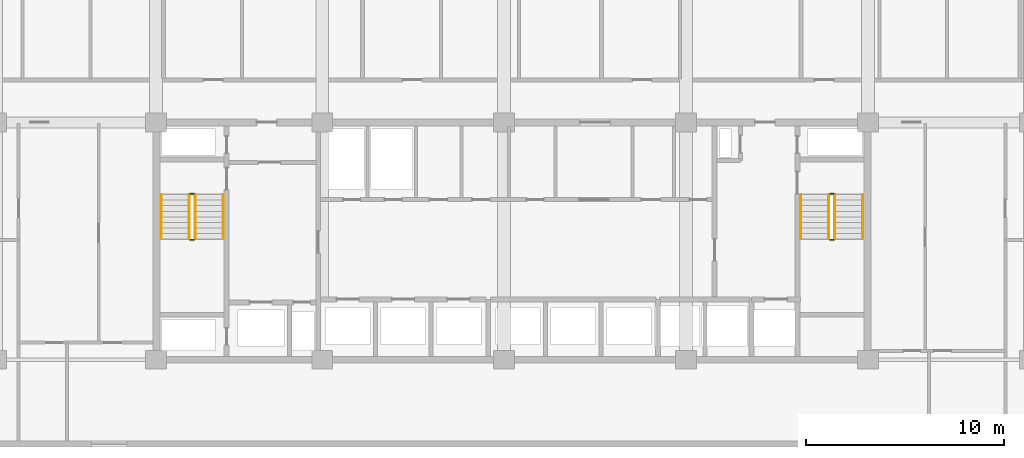
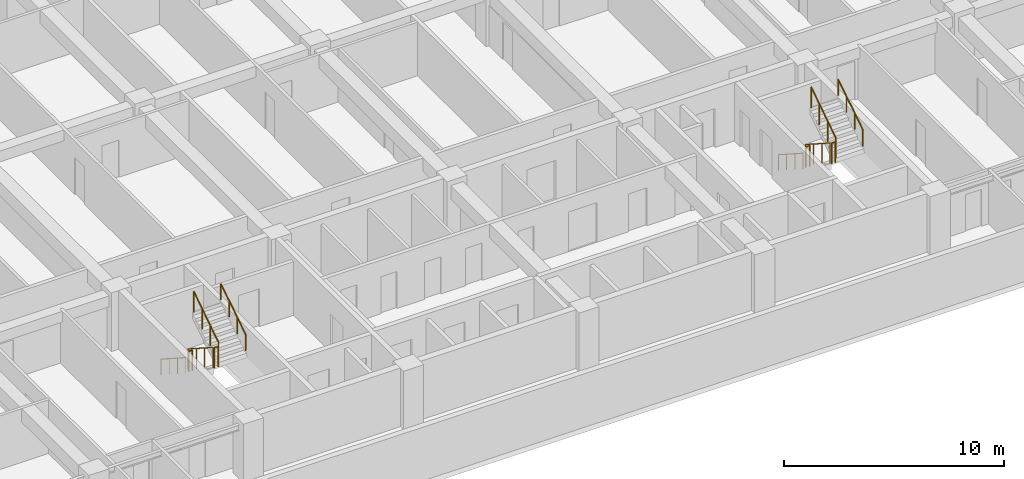
# One storey, part 22 of 23: 12 railings.
"""IFC4 building model written with IfcOpenShell, lengths in metres."""

from ifc_helpers import new_model, si_unit, direction, frame, origin, origin_2d, place, context, subcontext, project, spatial, circle, extrude, material, type_object, element, save


model = new_model("IFC4")

# Units and contexts
model_context = context("Model", 3, precision=1e-05, world=origin(), true_north=direction((0.0, 1.0)))
body_context = subcontext(model_context, "Body", "Model", "MODEL_VIEW")
ifc_project = project(units=[si_unit("LENGTHUNIT", "METRE"), si_unit("AREAUNIT", "SQUARE_METRE"), si_unit("VOLUMEUNIT", "CUBIC_METRE"), si_unit("PLANEANGLEUNIT", "RADIAN"), si_unit("MASSUNIT", "GRAM", prefix="KILO")], contexts=[model_context])

# Site, building, storey
site_placement = place(None, origin())
site = spatial("IfcSite", under=ifc_project, at=site_placement, CompositionType="ELEMENT")
building_placement = place(site_placement, origin())
building = spatial("IfcBuilding", under=site, at=building_placement, Name="Korimba Cascade Residences", CompositionType="ELEMENT")
storey_placement = place(building_placement, frame((0.0, 0.0, 30.5)))
storey = spatial("IfcBuildingStorey", under=building, at=storey_placement, Name="L07", CompositionType="ELEMENT", Elevation=30.5)

# Railings
ifc_material_1 = material(Name="Painted Steel Stairwell Guardrail", Category="steel")
railing_type_1 = type_object("IfcRailingType", Name="RLG-ST-GD1150", PredefinedType="GUARDRAIL", material=ifc_material_1)
railing_1_placement = place(storey_placement, frame((77.77001953125, 63.550048828125, 0.1806640625)))
element("IfcRailing", 1, at=railing_1_placement, inside=storey, type_object=railing_type_1, Name="L07 ST-W1 stair guard 1", PredefinedType="GUARDRAIL", context=body_context, shape_type="SweptSolid", body=[
    extrude(circle(Radius=0.02392578125, at=origin_2d()), frame((0.0, 0.0, 1.1259765625), z_axis=(0.0, -0.840436612492, 0.541909863706), x_axis=(1.0, 0.0, 0.0)), (0.0, 0.0, 1.0), 2.665283203125),
    extrude(circle(Radius=0.02099609375, at=origin_2d()), origin(), (0.0, 0.0, 1.0), 1.101806640625),
    extrude(circle(Radius=0.02099609375, at=origin_2d()), frame((0.0, -0.74658203125, 0.4814453125)), (0.0, 0.0, 1.0), 1.101806640625),
    extrude(circle(Radius=0.02099609375, at=origin_2d()), frame((0.0, -1.493408203125, 0.962890625)), (0.0, 0.0, 1.0), 1.101806640625),
    extrude(circle(Radius=0.02099609375, at=origin_2d()), frame((0.0, -2.239990234375, 1.4443359375)), (0.0, 0.0, 1.0), 1.101806640625),
])
railing_2_placement = place(storey_placement, frame((77.820068359375, 61.260009765625, 1.625)))
element("IfcRailing", 2, at=railing_2_placement, inside=storey, type_object=railing_type_1, Name="L07 ST-W1 stair guard 2", PredefinedType="GUARDRAIL", context=body_context, shape_type="SweptSolid", body=[
    extrude(circle(Radius=0.02392578125, at=origin_2d()), frame((0.0, 0.0, 1.1259765625), z_axis=(1.0, 0.0, 0.0), x_axis=(0.0, 1.0, 0.0)), (0.0, 0.0, 1.0), 0.199951171875),
    extrude(circle(Radius=0.02099609375, at=origin_2d()), origin(), (0.0, 0.0, 1.0), 1.101806640625),
    extrude(circle(Radius=0.02099609375, at=origin_2d()), frame((0.199951171875, 0.0, 0.0)), (0.0, 0.0, 1.0), 1.101806640625),
])
railing_3_placement = place(storey_placement, frame((78.070068359375, 61.31005859375, 1.8056640625)))
element("IfcRailing", 3, at=railing_3_placement, inside=storey, type_object=railing_type_1, Name="L07 ST-W1 stair guard 3", PredefinedType="GUARDRAIL", context=body_context, shape_type="SweptSolid", body=[
    extrude(circle(Radius=0.02392578125, at=origin_2d()), frame((0.0, 0.0, 1.1259765625), z_axis=(0.0, 0.840436612492, 0.541909863706), x_axis=(-1.0, 0.0, 0.0)), (0.0, 0.0, 1.0), 2.665283203125),
    extrude(circle(Radius=0.02099609375, at=origin_2d()), origin(), (0.0, 0.0, 1.0), 1.101806640625),
    extrude(circle(Radius=0.02099609375, at=origin_2d()), frame((0.0, 0.74658203125, 0.4814453125)), (0.0, 0.0, 1.0), 1.101806640625),
    extrude(circle(Radius=0.02099609375, at=origin_2d()), frame((0.0, 1.493408203125, 0.962890625)), (0.0, 0.0, 1.0), 1.101806640625),
    extrude(circle(Radius=0.02099609375, at=origin_2d()), frame((0.0, 2.239990234375, 1.4443359375)), (0.0, 0.0, 1.0), 1.101806640625),
])
railing_4_placement = place(storey_placement, frame((77.820068359375, 63.60009765625, 0.0)))
element("IfcRailing", 4, at=railing_4_placement, inside=storey, type_object=railing_type_1, Name="L07 ST-W1 stair guard 4", PredefinedType="GUARDRAIL", context=body_context, shape_type="SweptSolid", body=[
    extrude(circle(Radius=0.02392578125, at=origin_2d()), frame((0.0, 0.0, 1.1259765625), z_axis=(1.0, 0.0, 0.0), x_axis=(0.0, 1.0, 0.0)), (0.0, 0.0, 1.0), 0.199951171875),
    extrude(circle(Radius=0.02099609375, at=origin_2d()), origin(), (0.0, 0.0, 1.0), 1.101806640625),
    extrude(circle(Radius=0.02099609375, at=origin_2d()), frame((0.199951171875, 0.0, 0.0)), (0.0, 0.0, 1.0), 1.101806640625),
])
railing_5_placement = place(storey_placement, frame((110.1298828125, 63.550048828125, 0.1806640625)))
element("IfcRailing", 5, at=railing_5_placement, inside=storey, type_object=railing_type_1, Name="L07 ST-W2 stair guard 1", PredefinedType="GUARDRAIL", context=body_context, shape_type="SweptSolid", body=[
    extrude(circle(Radius=0.02392578125, at=origin_2d()), frame((0.0, 0.0, 1.1259765625), z_axis=(0.0, -0.840436612492, 0.541909863706), x_axis=(1.0, 0.0, 0.0)), (0.0, 0.0, 1.0), 2.665283203125),
    extrude(circle(Radius=0.02099609375, at=origin_2d()), origin(), (0.0, 0.0, 1.0), 1.101806640625),
    extrude(circle(Radius=0.02099609375, at=origin_2d()), frame((0.0, -0.74658203125, 0.4814453125)), (0.0, 0.0, 1.0), 1.101806640625),
    extrude(circle(Radius=0.02099609375, at=origin_2d()), frame((0.0, -1.493408203125, 0.962890625)), (0.0, 0.0, 1.0), 1.101806640625),
    extrude(circle(Radius=0.02099609375, at=origin_2d()), frame((0.0, -2.239990234375, 1.4443359375)), (0.0, 0.0, 1.0), 1.101806640625),
])
railing_6_placement = place(storey_placement, frame((110.179931640625, 61.260009765625, 1.625)))
element("IfcRailing", 6, at=railing_6_placement, inside=storey, type_object=railing_type_1, Name="L07 ST-W2 stair guard 2", PredefinedType="GUARDRAIL", context=body_context, shape_type="SweptSolid", body=[
    extrude(circle(Radius=0.02392578125, at=origin_2d()), frame((0.0, 0.0, 1.1259765625), z_axis=(1.0, 0.0, 0.0), x_axis=(0.0, 1.0, 0.0)), (0.0, 0.0, 1.0), 0.199951171875),
    extrude(circle(Radius=0.02099609375, at=origin_2d()), origin(), (0.0, 0.0, 1.0), 1.101806640625),
    extrude(circle(Radius=0.02099609375, at=origin_2d()), frame((0.199951171875, 0.0, 0.0)), (0.0, 0.0, 1.0), 1.101806640625),
])
railing_7_placement = place(storey_placement, frame((110.429931640625, 61.31005859375, 1.8056640625)))
element("IfcRailing", 7, at=railing_7_placement, inside=storey, type_object=railing_type_1, Name="L07 ST-W2 stair guard 3", PredefinedType="GUARDRAIL", context=body_context, shape_type="SweptSolid", body=[
    extrude(circle(Radius=0.02392578125, at=origin_2d()), frame((0.0, 0.0, 1.1259765625), z_axis=(0.0, 0.840436612492, 0.541909863706), x_axis=(-1.0, 0.0, 0.0)), (0.0, 0.0, 1.0), 2.665283203125),
    extrude(circle(Radius=0.02099609375, at=origin_2d()), origin(), (0.0, 0.0, 1.0), 1.101806640625),
    extrude(circle(Radius=0.02099609375, at=origin_2d()), frame((0.0, 0.74658203125, 0.4814453125)), (0.0, 0.0, 1.0), 1.101806640625),
    extrude(circle(Radius=0.02099609375, at=origin_2d()), frame((0.0, 1.493408203125, 0.962890625)), (0.0, 0.0, 1.0), 1.101806640625),
    extrude(circle(Radius=0.02099609375, at=origin_2d()), frame((0.0, 2.239990234375, 1.4443359375)), (0.0, 0.0, 1.0), 1.101806640625),
])
railing_8_placement = place(storey_placement, frame((110.179931640625, 63.60009765625, 0.0)))
element("IfcRailing", 8, at=railing_8_placement, inside=storey, type_object=railing_type_1, Name="L07 ST-W2 stair guard 4", PredefinedType="GUARDRAIL", context=body_context, shape_type="SweptSolid", body=[
    extrude(circle(Radius=0.02392578125, at=origin_2d()), frame((0.0, 0.0, 1.1259765625), z_axis=(1.0, 0.0, 0.0), x_axis=(0.0, 1.0, 0.0)), (0.0, 0.0, 1.0), 0.199951171875),
    extrude(circle(Radius=0.02099609375, at=origin_2d()), origin(), (0.0, 0.0, 1.0), 1.101806640625),
    extrude(circle(Radius=0.02099609375, at=origin_2d()), frame((0.199951171875, 0.0, 0.0)), (0.0, 0.0, 1.0), 1.101806640625),
])
ifc_material_2 = material(Name="Brushed Stainless Steel Handrail", Category="steel")
railing_type_2 = type_object("IfcRailingType", Name="RLG-ST-HR900", PredefinedType="HANDRAIL", material=ifc_material_2)
railing_9_placement = place(storey_placement, frame((76.35009765625, 63.550048828125, 0.364990234375)))
element("IfcRailing", 9, at=railing_9_placement, inside=storey, type_object=railing_type_2, Name="L07 ST-W1 stair handrail 1", PredefinedType="HANDRAIL", context=body_context, shape_type="SweptSolid", body=[
    extrude(circle(Radius=0.02392578125, at=origin_2d()), frame((0.0, 0.0, 0.8759765625), z_axis=(0.0, -0.840436612492, 0.541909863706), x_axis=(1.0, 0.0, 0.0)), (0.0, 0.0, 1.0), 2.665283203125),
    extrude(circle(Radius=0.02099609375, at=origin_2d()), origin(), (0.0, 0.0, 1.0), 0.851806640625),
    extrude(circle(Radius=0.02099609375, at=origin_2d()), frame((0.0, -0.74658203125, 0.4814453125)), (0.0, 0.0, 1.0), 0.851806640625),
    extrude(circle(Radius=0.02099609375, at=origin_2d()), frame((0.0, -1.493408203125, 0.962890625)), (0.0, 0.0, 1.0), 0.851806640625),
    extrude(circle(Radius=0.02099609375, at=origin_2d()), frame((0.0, -2.239990234375, 1.4443359375)), (0.0, 0.0, 1.0), 0.851806640625),
])
railing_10_placement = place(storey_placement, frame((79.489990234375, 61.31005859375, 1.989990234375)))
element("IfcRailing", 10, at=railing_10_placement, inside=storey, type_object=railing_type_2, Name="L07 ST-W1 stair handrail 2", PredefinedType="HANDRAIL", context=body_context, shape_type="SweptSolid", body=[
    extrude(circle(Radius=0.02392578125, at=origin_2d()), frame((0.0, 0.0, 0.8759765625), z_axis=(0.0, 0.840436612492, 0.541909863706), x_axis=(-1.0, 0.0, 0.0)), (0.0, 0.0, 1.0), 2.665283203125),
    extrude(circle(Radius=0.02099609375, at=origin_2d()), origin(), (0.0, 0.0, 1.0), 0.851806640625),
    extrude(circle(Radius=0.02099609375, at=origin_2d()), frame((0.0, 0.74658203125, 0.4814453125)), (0.0, 0.0, 1.0), 0.851806640625),
    extrude(circle(Radius=0.02099609375, at=origin_2d()), frame((0.0, 1.493408203125, 0.962890625)), (0.0, 0.0, 1.0), 0.851806640625),
    extrude(circle(Radius=0.02099609375, at=origin_2d()), frame((0.0, 2.239990234375, 1.4443359375)), (0.0, 0.0, 1.0), 0.851806640625),
])
railing_11_placement = place(storey_placement, frame((108.7099609375, 63.550048828125, 0.364990234375)))
element("IfcRailing", 11, at=railing_11_placement, inside=storey, type_object=railing_type_2, Name="L07 ST-W2 stair handrail 1", PredefinedType="HANDRAIL", context=body_context, shape_type="SweptSolid", body=[
    extrude(circle(Radius=0.02392578125, at=origin_2d()), frame((0.0, 0.0, 0.8759765625), z_axis=(0.0, -0.840436612492, 0.541909863706), x_axis=(1.0, 0.0, 0.0)), (0.0, 0.0, 1.0), 2.665283203125),
    extrude(circle(Radius=0.02099609375, at=origin_2d()), origin(), (0.0, 0.0, 1.0), 0.851806640625),
    extrude(circle(Radius=0.02099609375, at=origin_2d()), frame((0.0, -0.74658203125, 0.4814453125)), (0.0, 0.0, 1.0), 0.851806640625),
    extrude(circle(Radius=0.02099609375, at=origin_2d()), frame((0.0, -1.493408203125, 0.962890625)), (0.0, 0.0, 1.0), 0.851806640625),
    extrude(circle(Radius=0.02099609375, at=origin_2d()), frame((0.0, -2.239990234375, 1.4443359375)), (0.0, 0.0, 1.0), 0.851806640625),
])
railing_12_placement = place(storey_placement, frame((111.85009765625, 61.31005859375, 1.989990234375)))
element("IfcRailing", 12, at=railing_12_placement, inside=storey, type_object=railing_type_2, Name="L07 ST-W2 stair handrail 2", PredefinedType="HANDRAIL", context=body_context, shape_type="SweptSolid", body=[
    extrude(circle(Radius=0.02392578125, at=origin_2d()), frame((0.0, 0.0, 0.8759765625), z_axis=(0.0, 0.840436612492, 0.541909863706), x_axis=(-1.0, 0.0, 0.0)), (0.0, 0.0, 1.0), 2.665283203125),
    extrude(circle(Radius=0.02099609375, at=origin_2d()), origin(), (0.0, 0.0, 1.0), 0.851806640625),
    extrude(circle(Radius=0.02099609375, at=origin_2d()), frame((0.0, 0.74658203125, 0.4814453125)), (0.0, 0.0, 1.0), 0.851806640625),
    extrude(circle(Radius=0.02099609375, at=origin_2d()), frame((0.0, 1.493408203125, 0.962890625)), (0.0, 0.0, 1.0), 0.851806640625),
    extrude(circle(Radius=0.02099609375, at=origin_2d()), frame((0.0, 2.239990234375, 1.4443359375)), (0.0, 0.0, 1.0), 0.851806640625),
])

save(model, "model.ifc")
